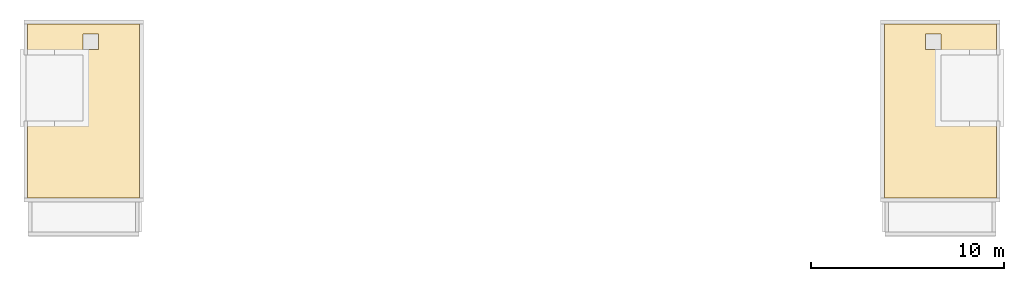
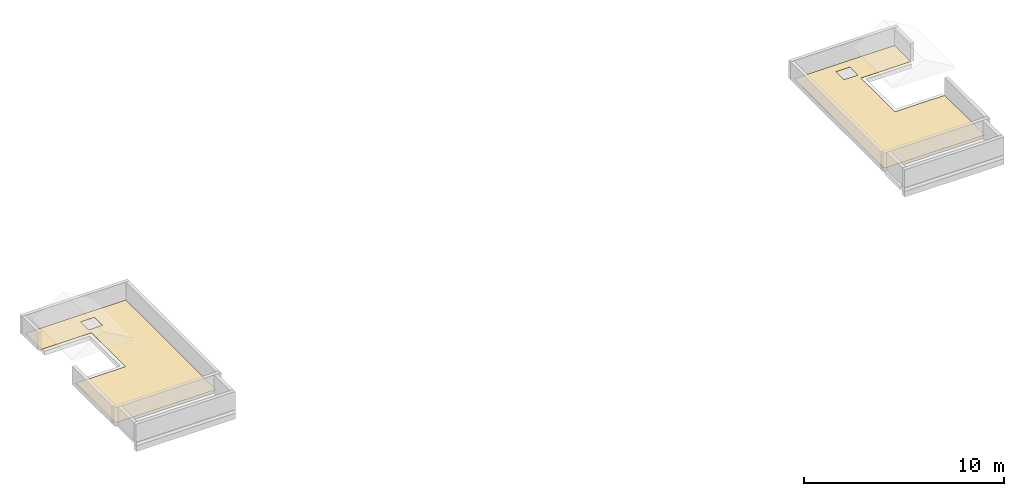
# One storey, part 2 of 2: 2 coverings.
"""IFC4 building model written with IfcOpenShell, lengths in metres."""

from ifc_helpers import new_model, si_unit, direction, frame, origin, place, context, subcontext, project, spatial, polyline, outline, extrude, material, layer, layer_set, type_object, element, save


model = new_model("IFC4")

# Units and contexts
model_context = context("Model", 3, precision=1e-05, world=origin(), true_north=direction((0.0, 1.0)))
body_context = subcontext(model_context, "Body", "Model", "MODEL_VIEW")
ifc_project = project(units=[si_unit("LENGTHUNIT", "METRE"), si_unit("AREAUNIT", "SQUARE_METRE"), si_unit("VOLUMEUNIT", "CUBIC_METRE"), si_unit("PLANEANGLEUNIT", "RADIAN"), si_unit("MASSUNIT", "GRAM", prefix="KILO")], contexts=[model_context])

# Site, building, storey
site_placement = place(None, origin())
site = spatial("IfcSite", under=ifc_project, at=site_placement, CompositionType="ELEMENT")
building_placement = place(site_placement, origin())
building = spatial("IfcBuilding", under=site, at=building_placement, Name="Ridgestep Commons", CompositionType="ELEMENT")
storey_placement = place(building_placement, frame((0.0, 0.0, 48.0)))
storey = spatial("IfcBuildingStorey", under=building, at=storey_placement, Name="Roof", CompositionType="ELEMENT", Elevation=48.0)

# Coverings
ifc_material = material(Name="Bitumen membrane, two layer")
ifc_layer = layer(ifc_material, 0.011962890625)
ifc_layer_set = layer_set([ifc_layer], Name="Roof membrane 12")
covering_type = type_object("IfcCoveringType", Name="Roof membrane 12", PredefinedType="ROOFING", material=ifc_layer_set)
covering_1_placement = place(storey_placement, origin())
element("IfcCovering", 1, at=covering_1_placement, inside=storey, type_object=covering_type, Name="Roof membrane A3C", PredefinedType="ROOFING", context=body_context, shape_type="SweptSolid", body=[
    extrude(outline(polyline([(51.5, 22.77490234375), (51.5, 13.75), (45.699951171875, 13.75), (45.699951171875, 17.75), (48.574951171875, 17.75), (48.574951171875, 21.14990234375), (45.699951171875, 21.14990234375), (45.699951171875, 22.77490234375), (51.5, 22.77490234375)]), holes=[polyline([(49.375, 22.25), (48.574951171875, 22.25), (48.574951171875, 21.449951171875), (49.375, 21.449951171875), (49.375, 22.25)])]), origin(), (0.0, 0.0, 1.0), 0.011962890625),
])
covering_2_placement = place(storey_placement, origin())
element("IfcCovering", 2, at=covering_2_placement, inside=storey, type_object=covering_type, Name="Roof membrane A5C", PredefinedType="ROOFING", context=body_context, shape_type="SweptSolid", body=[
    extrude(outline(polyline([(90.10009765625, 13.75), (90.10009765625, 22.77490234375), (95.89990234375, 22.77490234375), (95.89990234375, 21.14990234375), (93.02490234375, 21.14990234375), (93.02490234375, 17.75), (95.89990234375, 17.75), (95.89990234375, 13.75), (90.10009765625, 13.75)]), holes=[polyline([(93.02490234375, 22.25), (92.22509765625, 22.25), (92.22509765625, 21.449951171875), (93.02490234375, 21.449951171875), (93.02490234375, 22.25)])]), origin(), (0.0, 0.0, 1.0), 0.011962890625),
])

save(model, "model.ifc")
